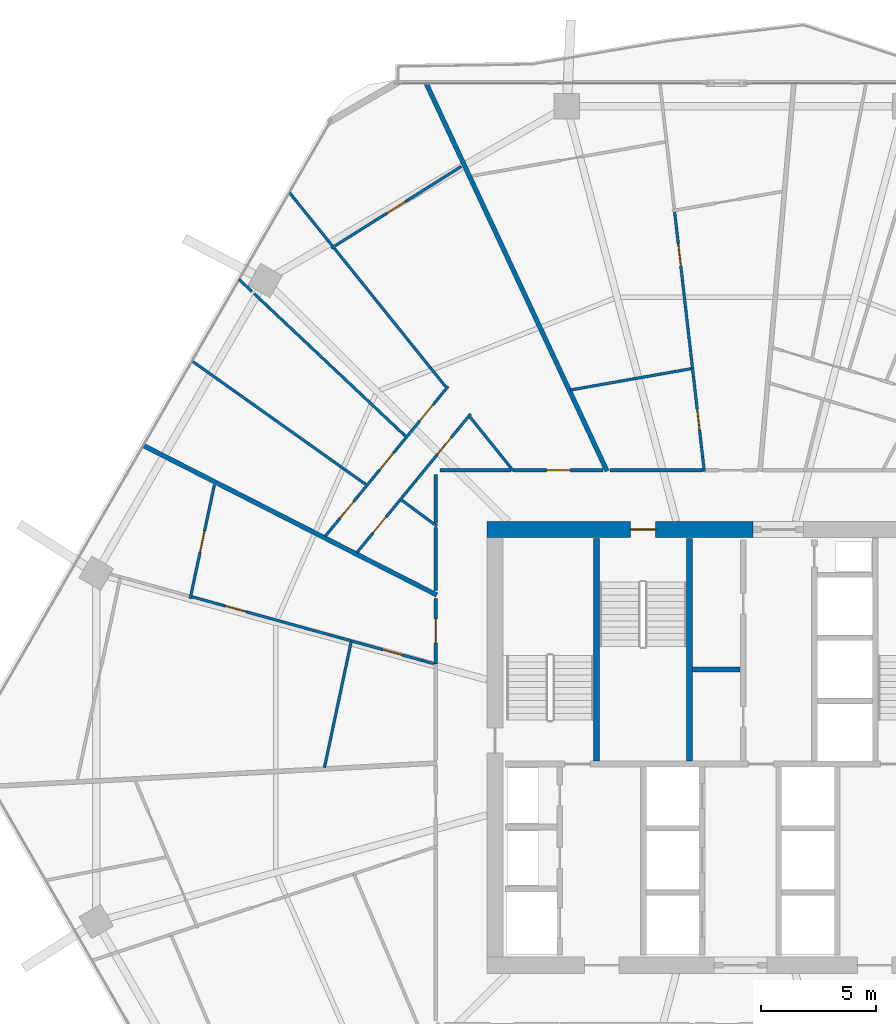
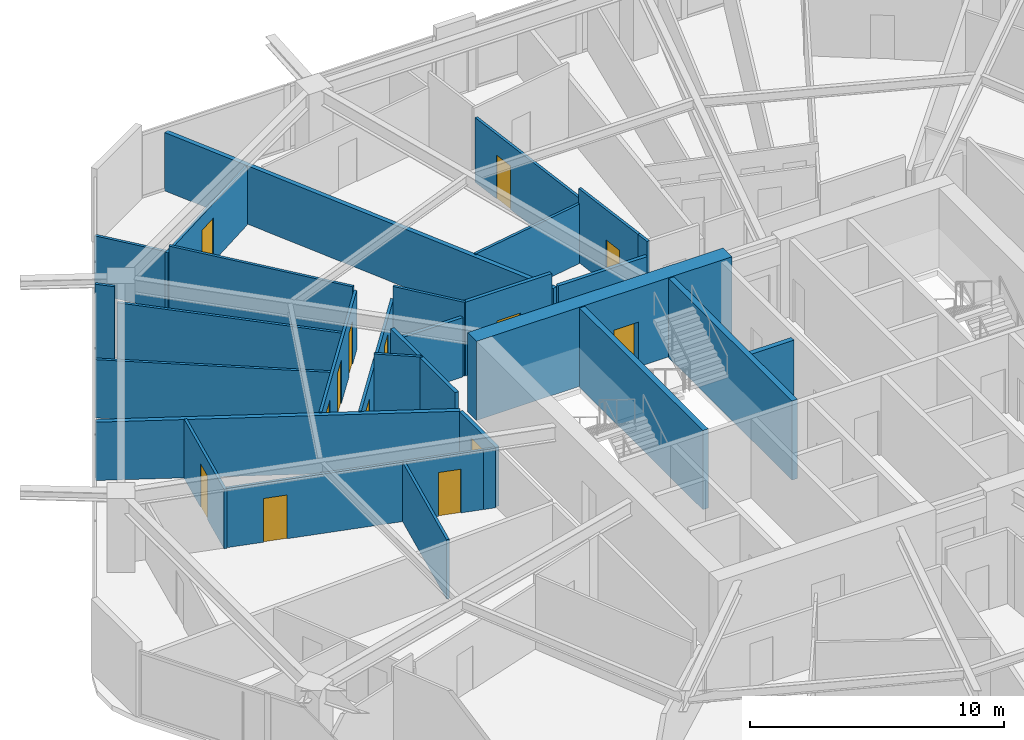
# One storey, part 27 of 33: 31 walls, 14 doors, 14 openings.
"""IFC4 building model written with IfcOpenShell, lengths in metres."""

import ifcopenshell
import ifcopenshell.guid

model = None  # the IFC model being written
_history = None  # IfcOwnerHistory: only IFC2X3 demands one
_inside = {}  # id of a spatial element -> (the spatial element, [elements in it])
_under = {}  # id of a project, library or spatial element -> (it, [spatial elements below it])
_declared = {}  # id of a project -> (the project, [libraries it declares])
_typed = {}  # id of a type object -> (the type object, [elements of that type])
_made_of = {}  # id of a material, layer set ... -> (it, [elements and type objects made of it])


def new_model(schema):
    """Start an empty IFC model of exactly this schema.

    Asked for "IFC4X3", IfcOpenShell would pick the latest addendum, in which some entities
    have other attributes; the version numbers below select the first issue.
    IFC2X3 requires an IfcOwnerHistory on every rooted entity: one is made here for all.
    """
    global model, _history
    if schema == "IFC4X3":
        model = ifcopenshell.file(schema_version=(4, 3, 0, 0))
    else:
        model = ifcopenshell.file(schema=schema)
    _inside.clear()
    _under.clear()
    _declared.clear()
    _typed.clear()
    _made_of.clear()
    _history = None
    if model.schema == "IFC2X3":
        org = make("IfcOrganization", Name="unknown")
        user = make(
            "IfcPersonAndOrganization",
            ThePerson=make("IfcPerson", FamilyName="unknown"),
            TheOrganization=org,
        )
        app = make(
            "IfcApplication",
            ApplicationDeveloper=org,
            Version="unknown",
            ApplicationFullName="unknown",
            ApplicationIdentifier="unknown",
        )
        _history = make(
            "IfcOwnerHistory",
            OwningUser=user,
            OwningApplication=app,
            ChangeAction="ADDED",
            CreationDate=0,
        )
    return model


def make(cls, **values):
    """One entity of the class cls with the attributes given. An attribute that is None is left unset."""
    return model.create_entity(
        cls, **{name: value for name, value in values.items() if value is not None}
    )


def rooted(cls, **values):
    """An entity with a GlobalId (a new one), such as an element, a storey or a relation."""
    return make(cls, GlobalId=ifcopenshell.guid.new(), OwnerHistory=_history, **values)


def si_unit(unit_type, name, prefix=None):
    """IfcSIUnit, for example si_unit("LENGTHUNIT", "METRE", prefix="MILLI")."""
    return make("IfcSIUnit", UnitType=unit_type, Prefix=prefix, Name=name)


def assignment(units):
    """IfcUnitAssignment: the units of a project."""
    return None if units is None else make("IfcUnitAssignment", Units=units)


def point(xyz):
    """IfcCartesianPoint."""
    return None if xyz is None else make("IfcCartesianPoint", Coordinates=xyz)


def direction(xyz):
    """IfcDirection."""
    return None if xyz is None else make("IfcDirection", DirectionRatios=xyz)


def frame(location, z_axis=None, x_axis=None):
    """IfcAxis2Placement3D, a coordinate frame: its origin and axes. An axis left out is left unset."""
    return make(
        "IfcAxis2Placement3D",
        Location=point(location),
        Axis=direction(z_axis),
        RefDirection=direction(x_axis),
    )


def frame_2d(location, x_axis=None):
    """IfcAxis2Placement2D, a coordinate frame in the plane: its origin and x axis."""
    return make(
        "IfcAxis2Placement2D", Location=point(location), RefDirection=direction(x_axis)
    )


def origin():
    """The frame at (0, 0, 0) with its axes left unset."""
    return frame((0.0, 0.0, 0.0))


def place(relative_to, where):
    """IfcLocalPlacement: puts the frame where relative to a parent placement (None: the world)."""
    return make(
        "IfcLocalPlacement", PlacementRelTo=relative_to, RelativePlacement=where
    )


def context(
    kind, dimensions, precision=None, world=None, true_north=None, identifier=None
):
    """IfcGeometricRepresentationContext, for example the 3D "Model" context."""
    return make(
        "IfcGeometricRepresentationContext",
        ContextIdentifier=identifier,
        ContextType=kind,
        CoordinateSpaceDimension=dimensions,
        Precision=precision,
        WorldCoordinateSystem=world,
        TrueNorth=true_north,
    )


def subcontext(parent, identifier, kind, view, scale=None):
    """IfcGeometricRepresentationSubContext, for example "Body" below "Model"."""
    return make(
        "IfcGeometricRepresentationSubContext",
        ContextIdentifier=identifier,
        ContextType=kind,
        ParentContext=parent,
        TargetScale=scale,
        TargetView=view,
    )


def project(units=None, contexts=None):
    """IfcProject with its units and contexts."""
    return rooted(
        "IfcProject",
        Name="project",
        RepresentationContexts=contexts,
        UnitsInContext=assignment(units),
    )


def spatial(cls, under=None, at=None, **own):
    """A site, building, storey or space (cls), placed at a placement, below another one or the project."""
    s = rooted(cls, ObjectPlacement=at, **own)
    if under is not None:
        _under.setdefault(under.id(), (under, []))[1].append(s)
    return s


def profile(cls, at=None, kind="AREA", **sizes):
    """A parametric profile (cls). Its sizes go by their IFC names, for example OverallWidth=200.0."""
    return make(cls, ProfileType=kind, Position=at, **sizes)


def rectangle(**sizes):
    """IfcRectangleProfileDef."""
    return profile("IfcRectangleProfileDef", **sizes)


def extrude(swept, where, along, depth):
    """IfcExtrudedAreaSolid: the profile swept, set in the frame where, extruded along a direction by depth."""
    return make(
        "IfcExtrudedAreaSolid",
        SweptArea=swept,
        Position=where,
        ExtrudedDirection=direction(along),
        Depth=depth,
    )


def shape(context_of_items, identifier, shape_type, items):
    """IfcShapeRepresentation: the items that make up one representation, for example the "Body"."""
    return make(
        "IfcShapeRepresentation",
        ContextOfItems=context_of_items,
        RepresentationIdentifier=identifier,
        RepresentationType=shape_type,
        Items=items,
    )


def material(Name=None, Category=None):
    """IfcMaterial."""
    return make("IfcMaterial", Name=Name, Category=Category)


def layer(
    of_material, thickness, ventilated=None, Name=None, Category=None, Priority=None
):
    """IfcMaterialLayer: one layer of a wall or slab, of a material (None: an air gap)."""
    return make(
        "IfcMaterialLayer",
        Material=of_material,
        LayerThickness=thickness,
        IsVentilated=ventilated,
        Name=Name,
        Category=Category,
        Priority=Priority,
    )


def layer_set(layers, Name=None):
    """IfcMaterialLayerSet."""
    return make("IfcMaterialLayerSet", MaterialLayers=layers, LayerSetName=Name)


def made_of(thing, what):
    """Note that an element or type object is made of a material, layer set ...; save() writes the relation."""
    if what is not None:
        _made_of.setdefault(what.id(), (what, []))[1].append(thing)
    return thing


def type_object(cls, material=None, **own):
    """A type object (cls), such as IfcWallType, which elements share."""
    return made_of(rooted(cls, **own), material)


def element(
    cls,
    number,
    at=None,
    inside=None,
    cuts=None,
    type_object=None,
    material=None,
    context=None,
    identifier="Body",
    shape_type=None,
    held_by="IfcProductDefinitionShape",
    body=None,
    shapes=None,
    **own,
):
    """One element of the class cls, such as IfcWall. Its Tag is "e" and its number.

    at: its placement. inside: the storey or other place that contains it. cuts: it is an
    opening in that element (IfcRelVoidsElement). A single representation is given by context,
    identifier, shape_type and body (its items); several are given by shapes. held_by: the class
    of the entity that holds the representations. save() writes the other relations.
    """
    e = rooted(cls, Tag="e%d" % number, ObjectPlacement=at, **own)
    if body is not None:
        shapes = [shape(context, identifier, shape_type, body)]
    if shapes is not None:
        e.Representation = make(held_by, Representations=shapes)
    if inside is not None:
        _inside.setdefault(inside.id(), (inside, []))[1].append(e)
    if cuts is not None:
        rooted(
            "IfcRelVoidsElement", RelatingBuildingElement=cuts, RelatedOpeningElement=e
        )
    if type_object is not None:
        _typed.setdefault(type_object.id(), (type_object, []))[1].append(e)
    return made_of(e, material)


def fill(opening, filler):
    """IfcRelFillsElement: the door or window that sits in an opening."""
    return rooted(
        "IfcRelFillsElement",
        RelatingOpeningElement=opening,
        RelatedBuildingElement=filler,
    )


def aggregate(whole, parts):
    """IfcRelAggregates: a whole, such as a stair, and the parts it consists of."""
    return rooted("IfcRelAggregates", RelatingObject=whole, RelatedObjects=parts)


def save(model, path):
    """Write the relations noted so far, then the file.

    IfcRelAggregates (storeys below a building ...), IfcRelContainedInSpatialStructure (elements
    in a storey), IfcRelDefinesByType, IfcRelAssociatesMaterial and IfcRelDeclares: one each for
    every whole, place, type object, material and project.
    """
    for whole, parts in _under.values():
        aggregate(whole, parts)
    for where, things in _inside.values():
        rooted(
            "IfcRelContainedInSpatialStructure",
            RelatedElements=things,
            RelatingStructure=where,
        )
    for kind, things in _typed.values():
        rooted("IfcRelDefinesByType", RelatedObjects=things, RelatingType=kind)
    for what, things in _made_of.values():
        rooted("IfcRelAssociatesMaterial", RelatedObjects=things, RelatingMaterial=what)
    for by, libraries in _declared.values():
        rooted("IfcRelDeclares", RelatingContext=by, RelatedDefinitions=libraries)
    model.write(path)


model = new_model("IFC4")

# Units and contexts
model_context = context("Model", 3, precision=1e-05, world=origin(), true_north=direction((0.0, 1.0)))
body_context = subcontext(model_context, "Body", "Model", "MODEL_VIEW")
ifc_project = project(units=[si_unit("LENGTHUNIT", "METRE"), si_unit("AREAUNIT", "SQUARE_METRE"), si_unit("VOLUMEUNIT", "CUBIC_METRE"), si_unit("PLANEANGLEUNIT", "RADIAN"), si_unit("MASSUNIT", "GRAM", prefix="KILO")], contexts=[model_context])

# Site, building, storey
site_placement = place(None, origin())
site = spatial("IfcSite", under=ifc_project, at=site_placement, CompositionType="ELEMENT")
building_placement = place(site_placement, origin())
building = spatial("IfcBuilding", under=site, at=building_placement, Name="Zuhravey Tower", CompositionType="ELEMENT")
storey_placement = place(building_placement, frame((0.0, 0.0, 126.60009765625)))
storey = spatial("IfcBuildingStorey", under=building, at=storey_placement, Name="L31", CompositionType="ELEMENT", Elevation=126.60009765625)

# Wall, opening, door
ifc_material_1 = material(Name="Concrete C60/75", Category="concrete")
ifc_layer_1 = layer(ifc_material_1, 0.699951171875)
ifc_layer_set_1 = layer_set([ifc_layer_1], Name="Concrete C60/75")
wall_type_1 = type_object("IfcWallType", Name="Core Shear Wall 700", PredefinedType="SHEAR", material=ifc_layer_set_1)
wall_1_placement = place(storey_placement, frame((36.75, 41.5, 0.0), z_axis=(0.0, 0.0, 1.0), x_axis=(-1.0, 0.0, 0.0)))
wall_1 = element("IfcWall", 1, at=wall_1_placement, inside=storey, type_object=wall_type_1, Name="L31 North-West Core Shear Wall CW70", PredefinedType="SHEAR", context=body_context, shape_type="SweptSolid", body=[
    extrude(rectangle(XDim=11.60009765625, YDim=0.699951171875, at=frame_2d((5.800048828125, 0.0))), origin(), (0.0, 0.0, 1.0), 3.7998046875),
])
opening_1_placement = place(wall_1_placement, frame((4.25, 0.0, 0.0)))
opening_1 = element("IfcOpeningElement", 2, at=opening_1_placement, cuts=wall_1, Name="Opening STD1", PredefinedType="OPENING", context=body_context, shape_type="SweptSolid", body=[
    extrude(rectangle(XDim=1.10009765625, YDim=2.14990234375, at=frame_2d((0.550048828125, 1.074951171875))), frame((0.0, 0.362060546875, 0.0), z_axis=(0.0, -1.0, 0.0), x_axis=(1.0, 0.0, 0.0)), (0.0, 0.0, 1.0), 0.723876953125),
])
ifc_material_2 = material(Name="Galvanised fire-rated steel leaf", Category="steel")
door_type_1 = type_object("IfcDoorType", Name="Protected Stair Fire Door 1100x2150", OperationType="NOTDEFINED", PredefinedType="USERDEFINED", material=ifc_material_2)
door_1_placement = place(opening_1_placement, origin())
door_1 = element("IfcDoor", 3, at=door_1_placement, inside=storey, type_object=door_type_1, Name="L31 Stair ST3 Door", ObjectType="EXITDOOR", OperationType="SINGLE_SWING_LEFT", OverallHeight=2.14990234375, OverallWidth=1.10009765625, PredefinedType="USERDEFINED", context=body_context, shape_type="SweptSolid", body=[
    extrude(rectangle(XDim=1.10009765625, YDim=2.14990234375, at=frame_2d((0.550048828125, 1.074951171875))), frame((0.0, 0.02490234375, 0.0), z_axis=(0.0, -1.0, 0.0), x_axis=(1.0, 0.0, 0.0)), (0.0, 0.0, 1.0), 0.050048828125),
])
fill(opening_1, door_1)

ifc_material_3 = material(Name="Gypsum fire-rated stud partition")
ifc_layer_2 = layer(ifc_material_3, 0.159912109375)
ifc_layer_set_2 = layer_set([ifc_layer_2], Name="Gypsum fire-rated stud partition")
wall_type_2 = type_object("IfcWallType", Name="Corridor Fire Partition 160", PredefinedType="PARTITIONING", material=ifc_layer_set_2)
wall_2_placement = place(storey_placement, frame((30.216064453125, 44.080078125, 0.0), z_axis=(0.0, 0.0, 1.0), x_axis=(-1.0, 0.0, 0.0)))
wall_2 = element("IfcWall", 4, at=wall_2_placement, inside=storey, type_object=wall_type_2, Name="L31 IW16 Partition 036", PredefinedType="PARTITIONING", context=body_context, shape_type="SweptSolid", body=[
    extrude(rectangle(XDim=3.909912109375, YDim=0.159912109375, at=frame_2d((1.955078125, 0.0))), origin(), (0.0, 0.0, 1.0), 3.5498046875),
])
opening_2_placement = place(wall_2_placement, frame((1.429931640625, 0.0, 0.0)))
opening_2 = element("IfcOpeningElement", 5, at=opening_2_placement, cuts=wall_2, Name="Opening APD1", PredefinedType="OPENING", context=body_context, shape_type="SweptSolid", body=[
    extrude(rectangle(XDim=1.050048828125, YDim=2.14990234375, at=frame_2d((0.52490234375, 1.074951171875))), frame((0.0, 0.092041015625, 0.0), z_axis=(0.0, -1.0, 0.0), x_axis=(1.0, 0.0, 0.0)), (0.0, 0.0, 1.0), 0.183837890625),
])
ifc_material_4 = material(Name="Solid-core oak fire-rated leaf")
door_type_2 = type_object("IfcDoorType", Name="Apartment Entrance Fire Door 1050x2150", OperationType="NOTDEFINED", PredefinedType="DOOR", material=ifc_material_4)
door_2_placement = place(opening_2_placement, frame((1.050048828125, 0.0, 0.0), z_axis=(0.0, 0.0, 1.0), x_axis=(-1.0, 0.0, 0.0)))
door_2 = element("IfcDoor", 6, at=door_2_placement, inside=storey, type_object=door_type_2, Name="L31 Door 036.1", OperationType="SINGLE_SWING_RIGHT", OverallHeight=2.14990234375, OverallWidth=1.050048828125, PredefinedType="DOOR", context=body_context, shape_type="SweptSolid", body=[
    extrude(rectangle(XDim=1.050048828125, YDim=2.14990234375, at=frame_2d((0.52490234375, 1.074951171875))), frame((0.0, 0.02490234375, 0.0), z_axis=(0.0, -1.0, 0.0), x_axis=(1.0, 0.0, 0.0)), (0.0, 0.0, 1.0), 0.050048828125),
])
fill(opening_2, door_2)

wall_3_placement = place(storey_placement, frame((22.919921875, 38.4990234375, 0.0), z_axis=(0.0, 0.0, 1.0), x_axis=(0.0, -1.0, 0.0)))
wall_3 = element("IfcWall", 7, at=wall_3_placement, inside=storey, type_object=wall_type_2, Name="L31 IW16 Partition 042", PredefinedType="PARTITIONING", context=body_context, shape_type="SweptSolid", body=[
    extrude(rectangle(XDim=2.855712890625, YDim=0.159912109375, at=frame_2d((1.427734375, 0.0))), origin(), (0.0, 0.0, 1.0), 2.849853515625),
])
opening_3_placement = place(wall_3_placement, frame((0.90283203125, 0.0, 0.0)))
opening_3 = element("IfcOpeningElement", 8, at=opening_3_placement, cuts=wall_3, Name="Opening APD1", PredefinedType="OPENING", context=body_context, shape_type="SweptSolid", body=[
    extrude(rectangle(XDim=1.050048828125, YDim=2.14990234375, at=frame_2d((0.52490234375, 1.074951171875))), frame((0.0, 0.092041015625, 0.0), z_axis=(0.0, -1.0, 0.0), x_axis=(1.0, 0.0, 0.0)), (0.0, 0.0, 1.0), 0.183837890625),
])
door_3_placement = place(opening_3_placement, frame((1.050048828125, 0.0, 0.0), z_axis=(0.0, 0.0, 1.0), x_axis=(-1.0, 0.0, 0.0)))
door_3 = element("IfcDoor", 9, at=door_3_placement, inside=storey, type_object=door_type_2, Name="L31 Door 042.1", OperationType="SINGLE_SWING_LEFT", OverallHeight=2.14990234375, OverallWidth=1.050048828125, PredefinedType="DOOR", context=body_context, shape_type="SweptSolid", body=[
    extrude(rectangle(XDim=1.050048828125, YDim=2.14990234375, at=frame_2d((0.52490234375, 1.074951171875))), frame((0.0, 0.02490234375, 0.0), z_axis=(0.0, -1.0, 0.0), x_axis=(1.0, 0.0, 0.0)), (0.0, 0.0, 1.0), 0.050048828125),
])
fill(opening_3, door_3)

# Walls
wall_4_placement = place(storey_placement, frame((34.55078125, 44.080078125, 0.0), z_axis=(0.0, 0.0, 1.0), x_axis=(-1.0, 0.0, 0.0)))
element("IfcWall", 10, at=wall_4_placement, inside=storey, type_object=wall_type_2, Name="L31 IW16 Partition 132", PredefinedType="PARTITIONING", context=body_context, shape_type="SweptSolid", body=[
    extrude(rectangle(XDim=4.033935546875, YDim=0.159912109375, at=frame_2d((2.01708984375, 0.0))), origin(), (0.0, 0.0, 1.0), 2.849853515625),
])
wall_5_placement = place(storey_placement, frame((26.193115234375, 44.080078125, 0.0), z_axis=(0.0, 0.0, 1.0), x_axis=(-1.0, 0.0, 0.0)))
element("IfcWall", 11, at=wall_5_placement, inside=storey, type_object=wall_type_2, Name="L31 IW16 Partition 133", PredefinedType="PARTITIONING", context=body_context, shape_type="SweptSolid", body=[
    extrude(rectangle(XDim=3.093017578125, YDim=0.159912109375, at=frame_2d((1.54638671875, 0.0))), origin(), (0.0, 0.0, 1.0), 2.849853515625),
])
wall_6_placement = place(storey_placement, frame((22.919921875, 43.89990234375, 0.0), z_axis=(0.0, 0.0, 1.0), x_axis=(0.0, -1.0, 0.0)))
element("IfcWall", 12, at=wall_6_placement, inside=storey, type_object=wall_type_2, Name="L31 IW16 Partition 134", PredefinedType="PARTITIONING", context=body_context, shape_type="SweptSolid", body=[
    extrude(rectangle(XDim=2.13720703125, YDim=0.159912109375, at=frame_2d((1.068603515625, 0.0))), origin(), (0.0, 0.0, 1.0), 3.5498046875),
])
wall_7_placement = place(storey_placement, frame((22.919921875, 41.593505859375, 0.0), z_axis=(0.0, 0.0, 1.0), x_axis=(0.0, -1.0, 0.0)))
element("IfcWall", 13, at=wall_7_placement, inside=storey, type_object=wall_type_2, Name="L31 IW16 Partition 135", PredefinedType="PARTITIONING", context=body_context, shape_type="SweptSolid", body=[
    extrude(rectangle(XDim=2.761962890625, YDim=0.159912109375, at=frame_2d((1.380859375, 0.0))), origin(), (0.0, 0.0, 1.0), 3.5498046875),
])
ifc_material_5 = material(Name="Concrete C50/60", Category="concrete")
ifc_layer_3 = layer(ifc_material_5, 0.25)
ifc_layer_set_3 = layer_set([ifc_layer_3], Name="Concrete C50/60")
wall_type_3 = type_object("IfcWallType", Name="Firefighting Shaft & Stair Wall 250", PredefinedType="SOLIDWALL", material=ifc_layer_set_3)
for number, where, z_axis, x_axis, name in (
    (14, (29.925048828125, 31.39990234375, 0.0), (0.0, 0.0, 1.0), (0.0, 1.0, 0.0), "L31 FW25 Shaft Wall 004"),
    (15, (33.97509765625, 31.39990234375, 0.0), (0.0, 0.0, 1.0), (0.0, 1.0, 0.0), "L31 FW25 Shaft Wall 005"),
):
    element("IfcWall", number, at=place(storey_placement, frame(where, z_axis=z_axis, x_axis=x_axis)), inside=storey, type_object=wall_type_3, Name=name, PredefinedType="SOLIDWALL", context=body_context, shape_type="SweptSolid", body=[
        extrude(rectangle(XDim=9.7001953125, YDim=0.25, at=frame_2d((4.85009765625, 0.0))), origin(), (0.0, 0.0, 1.0), 3.7998046875),
    ])
ifc_material_6 = material(Name="Gypsum double-stud party assembly")
ifc_layer_4 = layer(ifc_material_6, 0.199951171875)
ifc_layer_set_4 = layer_set([ifc_layer_4], Name="Gypsum double-stud party assembly")
wall_type_4 = type_object("IfcWallType", Name="Inter-Tenancy Party Wall 200", PredefinedType="PARTITIONING", material=ifc_layer_set_4)
wall_8_placement = place(storey_placement, frame((30.3857421875, 44.0400390625, 0.0), z_axis=(0.0, 0.0, 1.0), x_axis=(-0.422626983595, 0.906303719918, 0.0)))
element("IfcWall", 16, at=wall_8_placement, inside=storey, type_object=wall_type_4, Name="L31 IW20 Partition 091", PredefinedType="PARTITIONING", context=body_context, shape_type="SweptSolid", body=[
    extrude(rectangle(XDim=18.66748046875, YDim=0.199951171875, at=frame_2d((9.333740234375, 0.0))), origin(), (0.0, 0.0, 1.0), 2.7998046875),
])
wall_9_placement = place(storey_placement, frame((22.9599609375, 38.644287109375, 0.0), z_axis=(0.0, 0.0, 1.0), x_axis=(-0.891012124705, 0.453979507939, 0.0)))
element("IfcWall", 17, at=wall_9_placement, inside=storey, type_object=wall_type_4, Name="L31 IW20 Partition 099", PredefinedType="PARTITIONING", context=body_context, shape_type="SweptSolid", body=[
    extrude(rectangle(XDim=14.363037109375, YDim=0.199951171875, at=frame_2d((7.181640625, 0.0))), origin(), (0.0, 0.0, 1.0), 2.7998046875),
])
ifc_material_7 = material(Name="Gypsum acoustic stud assembly")
ifc_layer_5 = layer(ifc_material_7, 0.219970703125)
ifc_layer_set_5 = layer_set([ifc_layer_5], Name="Gypsum acoustic stud assembly")
wall_type_5 = type_object("IfcWallType", Name="School Acoustic Compartment Wall 220", PredefinedType="PARTITIONING", material=ifc_layer_set_5)
wall_10_placement = place(storey_placement, frame((34.10791015625, 35.39990234375, 0.0), z_axis=(0.0, 0.0, 1.0), x_axis=(1.0, 0.0, 0.0)))
element("IfcWall", 18, at=wall_10_placement, inside=storey, type_object=wall_type_5, Name="L31 IW22 Partition 067", PredefinedType="PARTITIONING", context=body_context, shape_type="SweptSolid", body=[
    extrude(rectangle(XDim=2.083984375, YDim=0.219970703125, at=frame_2d((1.0419921875, 0.0))), origin(), (0.0, 0.0, 1.0), 3.5498046875),
])

# Wall, opening, door
ifc_material_8 = material(Name="Gypsum metal-stud partition")
ifc_layer_6 = layer(ifc_material_8, 0.1201171875)
ifc_layer_set_6 = layer_set([ifc_layer_6], Name="Gypsum metal-stud partition")
wall_type_6 = type_object("IfcWallType", Name="Unit Internal Partition 120", PredefinedType="PARTITIONING", material=ifc_layer_set_6)
wall_11_placement = place(storey_placement, frame((34.55419921875, 44.64990234375, 0.0), z_axis=(0.0, 0.0, 1.0), x_axis=(-0.113574688957, 0.993529461077, 0.0)))
wall_11 = element("IfcWall", 19, at=wall_11_placement, inside=storey, type_object=wall_type_6, Name="L31 IW12 Partition 028", PredefinedType="PARTITIONING", context=body_context, shape_type="SweptSolid", body=[
    extrude(rectangle(XDim=3.9208984375, YDim=0.1201171875, at=frame_2d((1.96044921875, 0.0))), origin(), (0.0, 0.0, 1.0), 3.5498046875),
])
opening_4_placement = place(wall_11_placement, frame((1.19677734375, 0.0, 0.0)))
opening_4 = element("IfcOpeningElement", 20, at=opening_4_placement, cuts=wall_11, Name="Opening WCD1", PredefinedType="OPENING", context=body_context, shape_type="SweptSolid", body=[
    extrude(rectangle(XDim=0.89990234375, YDim=2.10009765625, at=frame_2d((0.449951171875, 1.050048828125))), frame((0.0, 0.072021484375, 0.0), z_axis=(0.0, -1.0, 0.0), x_axis=(1.0, 0.0, 0.0)), (0.0, 0.0, 1.0), 0.14404296875),
])
ifc_material_9 = material(Name="Moisture-resistant timber leaf", Category="wood")
door_type_3 = type_object("IfcDoorType", Name="Bathroom & WC Internal Door 900x2100", OperationType="NOTDEFINED", PredefinedType="DOOR", material=ifc_material_9)
door_4_placement = place(opening_4_placement, origin())
door_4 = element("IfcDoor", 21, at=door_4_placement, inside=storey, type_object=door_type_3, Name="Apartment L31-03 Bathroom Door", OperationType="SINGLE_SWING_RIGHT", OverallHeight=2.10009765625, OverallWidth=0.89990234375, PredefinedType="DOOR", context=body_context, shape_type="SweptSolid", body=[
    extrude(rectangle(XDim=0.89990234375, YDim=2.10009765625, at=frame_2d((0.449951171875, 1.050048828125))), frame((0.0, 0.02490234375, 0.0), z_axis=(0.0, -1.0, 0.0), x_axis=(1.0, 0.0, 0.0)), (0.0, 0.0, 1.0), 0.050048828125),
])
fill(opening_4, door_4)

wall_12_placement = place(storey_placement, frame((34.10888671875, 48.54541015625, 0.0), z_axis=(0.0, 0.0, 1.0), x_axis=(-0.113541557806, 0.993533247884, 0.0)))
wall_12 = element("IfcWall", 22, at=wall_12_placement, inside=storey, type_object=wall_type_6, Name="L31 IW12 Partition 029", PredefinedType="PARTITIONING", context=body_context, shape_type="SweptSolid", body=[
    extrude(rectangle(XDim=6.83984375, YDim=0.1201171875, at=frame_2d((3.419921875, 0.0))), origin(), (0.0, 0.0, 1.0), 3.099853515625),
])
opening_5_placement = place(wall_12_placement, frame((4.476318359375, 0.0, 0.0)))
opening_5 = element("IfcOpeningElement", 23, at=opening_5_placement, cuts=wall_12, Name="Opening IND1", PredefinedType="OPENING", context=body_context, shape_type="SweptSolid", body=[
    extrude(rectangle(XDim=0.949951171875, YDim=2.10009765625, at=frame_2d((0.47509765625, 1.050048828125))), frame((0.0, 0.072021484375, 0.0), z_axis=(0.0, -1.0, 0.0), x_axis=(1.0, 0.0, 0.0)), (0.0, 0.0, 1.0), 0.14404296875),
])
ifc_material_10 = material(Name="Painted engineered timber leaf", Category="wood")
door_type_4 = type_object("IfcDoorType", Name="Internal Room & Bedroom Door 950x2100", OperationType="NOTDEFINED", PredefinedType="DOOR", material=ifc_material_10)
door_5_placement = place(opening_5_placement, origin())
door_5 = element("IfcDoor", 24, at=door_5_placement, inside=storey, type_object=door_type_4, Name="Apartment L31-03 Home Office Door", OperationType="SINGLE_SWING_LEFT", OverallHeight=2.10009765625, OverallWidth=0.949951171875, PredefinedType="DOOR", context=body_context, shape_type="SweptSolid", body=[
    extrude(rectangle(XDim=0.949951171875, YDim=2.10009765625, at=frame_2d((0.47509765625, 1.050048828125))), frame((0.0, 0.02490234375, 0.0), z_axis=(0.0, -1.0, 0.0), x_axis=(1.0, 0.0, 0.0)), (0.0, 0.0, 1.0), 0.050048828125),
])
fill(opening_5, door_5)

wall_13_placement = place(storey_placement, frame((24.030029296875, 57.32763671875, 0.0), z_axis=(0.0, 0.0, 1.0), x_axis=(-0.846561448229, -0.532291005346, 0.0)))
wall_13 = element("IfcWall", 25, at=wall_13_placement, inside=storey, type_object=wall_type_6, Name="L31 IW12 Partition 033", PredefinedType="PARTITIONING", context=body_context, shape_type="SweptSolid", body=[
    extrude(rectangle(XDim=6.696533203125, YDim=0.1201171875, at=frame_2d((3.34814453125, 0.0))), origin(), (0.0, 0.0, 1.0), 2.7998046875),
])
opening_6_placement = place(wall_13_placement, frame((2.873291015625, 0.0, 0.0)))
opening_6 = element("IfcOpeningElement", 26, at=opening_6_placement, cuts=wall_13, Name="Opening IND1", PredefinedType="OPENING", context=body_context, shape_type="SweptSolid", body=[
    extrude(rectangle(XDim=0.949951171875, YDim=2.10009765625, at=frame_2d((0.47509765625, 1.050048828125))), frame((0.0, 0.072021484375, 0.0), z_axis=(0.0, -1.0, 0.0), x_axis=(1.0, 0.0, 0.0)), (0.0, 0.0, 1.0), 0.14404296875),
])
door_6_placement = place(opening_6_placement, frame((0.949951171875, 0.0, 0.0), z_axis=(0.0, 0.0, 1.0), x_axis=(-1.0, 0.0, 0.0)))
door_6 = element("IfcDoor", 27, at=door_6_placement, inside=storey, type_object=door_type_4, Name="Apartment L31-04 Family Study Door", OperationType="SINGLE_SWING_RIGHT", OverallHeight=2.10009765625, OverallWidth=0.949951171875, PredefinedType="DOOR", context=body_context, shape_type="SweptSolid", body=[
    extrude(rectangle(XDim=0.949951171875, YDim=2.10009765625, at=frame_2d((0.47509765625, 1.050048828125))), frame((0.0, 0.02490234375, 0.0), z_axis=(0.0, -1.0, 0.0), x_axis=(1.0, 0.0, 0.0)), (0.0, 0.0, 1.0), 0.050048828125),
])
fill(opening_6, door_6)

# Wall, openings, doors
wall_14_placement = place(storey_placement, frame((24.43310546875, 46.53564453125, 0.0), z_axis=(0.0, 0.0, 1.0), x_axis=(-0.633934690798, -0.773386583671, 0.0)))
wall_14 = element("IfcWall", 28, at=wall_14_placement, inside=storey, type_object=wall_type_6, Name="L31 IW12 Partition 034", PredefinedType="PARTITIONING", context=body_context, shape_type="SweptSolid", body=[
    extrude(rectangle(XDim=7.818603515625, YDim=0.1201171875, at=frame_2d((3.9091796875, 0.0))), origin(), (0.0, 0.0, 1.0), 2.849853515625),
])
opening_7_placement = place(wall_14_placement, frame((1.3212890625, 0.0, 0.0)))
opening_7 = element("IfcOpeningElement", 29, at=opening_7_placement, cuts=wall_14, Name="Opening IND1", PredefinedType="OPENING", context=body_context, shape_type="SweptSolid", body=[
    extrude(rectangle(XDim=0.949951171875, YDim=2.10009765625, at=frame_2d((0.47509765625, 1.050048828125))), frame((0.0, 0.072021484375, 0.0), z_axis=(0.0, -1.0, 0.0), x_axis=(1.0, 0.0, 0.0)), (0.0, 0.0, 1.0), 0.14404296875),
])
opening_8_placement = place(wall_14_placement, frame((5.8134765625, 0.0, 0.0)))
opening_8 = element("IfcOpeningElement", 30, at=opening_8_placement, cuts=wall_14, Name="Opening WCD1", PredefinedType="OPENING", context=body_context, shape_type="SweptSolid", body=[
    extrude(rectangle(XDim=0.89990234375, YDim=2.10009765625, at=frame_2d((0.449951171875, 1.050048828125))), frame((0.0, 0.072021484375, 0.0), z_axis=(0.0, -1.0, 0.0), x_axis=(1.0, 0.0, 0.0)), (0.0, 0.0, 1.0), 0.14404296875),
])
door_7_placement = place(opening_8_placement, origin())
door_7 = element("IfcDoor", 31, at=door_7_placement, inside=storey, type_object=door_type_3, Name="Apartment L31-04 Bathroom Door", OperationType="SINGLE_SWING_RIGHT", OverallHeight=2.10009765625, OverallWidth=0.89990234375, PredefinedType="DOOR", context=body_context, shape_type="SweptSolid", body=[
    extrude(rectangle(XDim=0.89990234375, YDim=2.10009765625, at=frame_2d((0.449951171875, 1.050048828125))), frame((0.0, 0.02490234375, 0.0), z_axis=(0.0, -1.0, 0.0), x_axis=(1.0, 0.0, 0.0)), (0.0, 0.0, 1.0), 0.050048828125),
])
fill(opening_8, door_7)
door_8_placement = place(opening_7_placement, origin())
door_8 = element("IfcDoor", 32, at=door_8_placement, inside=storey, type_object=door_type_4, Name="Apartment L31-04 Kitchen Door", OperationType="SINGLE_SWING_LEFT", OverallHeight=2.10009765625, OverallWidth=0.949951171875, PredefinedType="DOOR", context=body_context, shape_type="SweptSolid", body=[
    extrude(rectangle(XDim=0.949951171875, YDim=2.10009765625, at=frame_2d((0.47509765625, 1.050048828125))), frame((0.0, 0.02490234375, 0.0), z_axis=(0.0, -1.0, 0.0), x_axis=(1.0, 0.0, 0.0)), (0.0, 0.0, 1.0), 0.050048828125),
])
fill(opening_7, door_8)

wall_15_placement = place(storey_placement, frame((23.45947265625, 47.74560546875, 0.0), z_axis=(0.0, 0.0, 1.0), x_axis=(-0.633918329218, -0.773399994751, 0.0)))
wall_15 = element("IfcWall", 33, at=wall_15_placement, inside=storey, type_object=wall_type_6, Name="L31 IW12 Partition 035", PredefinedType="PARTITIONING", context=body_context, shape_type="SweptSolid", body=[
    extrude(rectangle(XDim=8.455810546875, YDim=0.1201171875, at=frame_2d((4.22802734375, 0.0))), origin(), (0.0, 0.0, 1.0), 2.849853515625),
])
opening_9_placement = place(wall_15_placement, frame((1.010009765625, 0.0, 0.0)))
opening_9 = element("IfcOpeningElement", 34, at=opening_9_placement, cuts=wall_15, Name="Opening IND1", PredefinedType="OPENING", context=body_context, shape_type="SweptSolid", body=[
    extrude(rectangle(XDim=0.949951171875, YDim=2.10009765625, at=frame_2d((0.47509765625, 1.050048828125))), frame((0.0, 0.072021484375, 0.0), z_axis=(0.0, -1.0, 0.0), x_axis=(1.0, 0.0, 0.0)), (0.0, 0.0, 1.0), 0.14404296875),
])
opening_10_placement = place(wall_15_placement, frame((3.7529296875, 0.0, 0.0)))
opening_10 = element("IfcOpeningElement", 35, at=opening_10_placement, cuts=wall_15, Name="Opening IND1", PredefinedType="OPENING", context=body_context, shape_type="SweptSolid", body=[
    extrude(rectangle(XDim=0.949951171875, YDim=2.10009765625, at=frame_2d((0.47509765625, 1.050048828125))), frame((0.0, 0.072021484375, 0.0), z_axis=(0.0, -1.0, 0.0), x_axis=(1.0, 0.0, 0.0)), (0.0, 0.0, 1.0), 0.14404296875),
])
opening_11_placement = place(wall_15_placement, frame((6.495849609375, 0.0, 0.0)))
opening_11 = element("IfcOpeningElement", 36, at=opening_11_placement, cuts=wall_15, Name="Opening IND1", PredefinedType="OPENING", context=body_context, shape_type="SweptSolid", body=[
    extrude(rectangle(XDim=0.949951171875, YDim=2.10009765625, at=frame_2d((0.47509765625, 1.050048828125))), frame((0.0, 0.072021484375, 0.0), z_axis=(0.0, -1.0, 0.0), x_axis=(1.0, 0.0, 0.0)), (0.0, 0.0, 1.0), 0.14404296875),
])
door_9_placement = place(opening_9_placement, frame((0.949951171875, 0.0, 0.0), z_axis=(0.0, 0.0, 1.0), x_axis=(-1.0, 0.0, 0.0)))
door_9 = element("IfcDoor", 37, at=door_9_placement, inside=storey, type_object=door_type_4, Name="Apartment L31-04 Bedroom 1 Door", OperationType="SINGLE_SWING_LEFT", OverallHeight=2.10009765625, OverallWidth=0.949951171875, PredefinedType="DOOR", context=body_context, shape_type="SweptSolid", body=[
    extrude(rectangle(XDim=0.949951171875, YDim=2.10009765625, at=frame_2d((0.47509765625, 1.050048828125))), frame((0.0, 0.02490234375, 0.0), z_axis=(0.0, -1.0, 0.0), x_axis=(1.0, 0.0, 0.0)), (0.0, 0.0, 1.0), 0.050048828125),
])
fill(opening_9, door_9)
door_10_placement = place(opening_10_placement, frame((0.949951171875, 0.0, 0.0), z_axis=(0.0, 0.0, 1.0), x_axis=(-1.0, 0.0, 0.0)))
door_10 = element("IfcDoor", 38, at=door_10_placement, inside=storey, type_object=door_type_4, Name="Apartment L31-04 Bedroom 2 Door", OperationType="SINGLE_SWING_RIGHT", OverallHeight=2.10009765625, OverallWidth=0.949951171875, PredefinedType="DOOR", context=body_context, shape_type="SweptSolid", body=[
    extrude(rectangle(XDim=0.949951171875, YDim=2.10009765625, at=frame_2d((0.47509765625, 1.050048828125))), frame((0.0, 0.02490234375, 0.0), z_axis=(0.0, -1.0, 0.0), x_axis=(1.0, 0.0, 0.0)), (0.0, 0.0, 1.0), 0.050048828125),
])
fill(opening_10, door_10)
door_11_placement = place(opening_11_placement, frame((0.949951171875, 0.0, 0.0), z_axis=(0.0, 0.0, 1.0), x_axis=(-1.0, 0.0, 0.0)))
door_11 = element("IfcDoor", 39, at=door_11_placement, inside=storey, type_object=door_type_4, Name="Apartment L31-04 Bedroom 3 Door", OperationType="SINGLE_SWING_LEFT", OverallHeight=2.10009765625, OverallWidth=0.949951171875, PredefinedType="DOOR", context=body_context, shape_type="SweptSolid", body=[
    extrude(rectangle(XDim=0.949951171875, YDim=2.10009765625, at=frame_2d((0.47509765625, 1.050048828125))), frame((0.0, 0.02490234375, 0.0), z_axis=(0.0, -1.0, 0.0), x_axis=(1.0, 0.0, 0.0)), (0.0, 0.0, 1.0), 0.050048828125),
])
fill(opening_11, door_11)

# Wall, opening, door
wall_16_placement = place(storey_placement, frame((13.2646484375, 43.447021484375, 0.0), z_axis=(0.0, 0.0, 1.0), x_axis=(-0.207901923905, -0.978149676704, 0.0)))
wall_16 = element("IfcWall", 40, at=wall_16_placement, inside=storey, type_object=wall_type_6, Name="L31 IW12 Partition 037", PredefinedType="PARTITIONING", context=body_context, shape_type="SweptSolid", body=[
    extrude(rectangle(XDim=5.072998046875, YDim=0.1201171875, at=frame_2d((2.53662109375, 0.0))), origin(), (0.0, 0.0, 1.0), 2.849853515625),
])
opening_12_placement = place(wall_16_placement, frame((2.0615234375, 0.0, 0.0)))
opening_12 = element("IfcOpeningElement", 41, at=opening_12_placement, cuts=wall_16, Name="Opening IND1", PredefinedType="OPENING", context=body_context, shape_type="SweptSolid", body=[
    extrude(rectangle(XDim=0.949951171875, YDim=2.10009765625, at=frame_2d((0.47509765625, 1.050048828125))), frame((0.0, 0.072021484375, 0.0), z_axis=(0.0, -1.0, 0.0), x_axis=(1.0, 0.0, 0.0)), (0.0, 0.0, 1.0), 0.14404296875),
])
door_12_placement = place(opening_12_placement, frame((0.949951171875, 0.0, 0.0), z_axis=(0.0, 0.0, 1.0), x_axis=(-1.0, 0.0, 0.0)))
door_12 = element("IfcDoor", 42, at=door_12_placement, inside=storey, type_object=door_type_4, Name="Apartment L31-05 Family Study Door", OperationType="SINGLE_SWING_LEFT", OverallHeight=2.10009765625, OverallWidth=0.949951171875, PredefinedType="DOOR", context=body_context, shape_type="SweptSolid", body=[
    extrude(rectangle(XDim=0.949951171875, YDim=2.10009765625, at=frame_2d((0.47509765625, 1.050048828125))), frame((0.0, 0.02490234375, 0.0), z_axis=(0.0, -1.0, 0.0), x_axis=(1.0, 0.0, 0.0)), (0.0, 0.0, 1.0), 0.050048828125),
])
fill(opening_12, door_12)

wall_17_placement = place(storey_placement, frame((22.35009765625, 35.7802734375, 0.0), z_axis=(0.0, 0.0, 1.0), x_axis=(-0.963728241007, 0.266885513816, 0.0)))
wall_17 = element("IfcWall", 43, at=wall_17_placement, inside=storey, type_object=wall_type_6, Name="L31 IW12 Partition 038", PredefinedType="PARTITIONING", context=body_context, shape_type="SweptSolid", body=[
    extrude(rectangle(XDim=3.2548828125, YDim=0.1201171875, at=frame_2d((1.62744140625, 0.0))), origin(), (0.0, 0.0, 1.0), 2.849853515625),
])
opening_13_placement = place(wall_17_placement, frame((0.9169921875, 0.0, 0.0)))
opening_13 = element("IfcOpeningElement", 44, at=opening_13_placement, cuts=wall_17, Name="Opening WCD1", PredefinedType="OPENING", context=body_context, shape_type="SweptSolid", body=[
    extrude(rectangle(XDim=0.89990234375, YDim=2.10009765625, at=frame_2d((0.449951171875, 1.050048828125))), frame((0.0, 0.072021484375, 0.0), z_axis=(0.0, -1.0, 0.0), x_axis=(1.0, 0.0, 0.0)), (0.0, 0.0, 1.0), 0.14404296875),
])
door_13_placement = place(opening_13_placement, origin())
door_13 = element("IfcDoor", 45, at=door_13_placement, inside=storey, type_object=door_type_3, Name="Apartment L31-05 Bathroom Door", OperationType="SINGLE_SWING_RIGHT", OverallHeight=2.10009765625, OverallWidth=0.89990234375, PredefinedType="DOOR", context=body_context, shape_type="SweptSolid", body=[
    extrude(rectangle(XDim=0.89990234375, YDim=2.10009765625, at=frame_2d((0.449951171875, 1.050048828125))), frame((0.0, 0.02490234375, 0.0), z_axis=(0.0, -1.0, 0.0), x_axis=(1.0, 0.0, 0.0)), (0.0, 0.0, 1.0), 0.050048828125),
])
fill(opening_13, door_13)

wall_18_placement = place(storey_placement, frame((19.21337890625, 36.64892578125, 0.0), z_axis=(0.0, 0.0, 1.0), x_axis=(-0.963719388082, 0.266917479821, 0.0)))
wall_18 = element("IfcWall", 46, at=wall_18_placement, inside=storey, type_object=wall_type_6, Name="L31 IW12 Partition 039", PredefinedType="PARTITIONING", context=body_context, shape_type="SweptSolid", body=[
    extrude(rectangle(XDim=7.177490234375, YDim=0.1201171875, at=frame_2d((3.5888671875, 0.0))), origin(), (0.0, 0.0, 1.0), 2.849853515625),
])
opening_14_placement = place(wall_18_placement, frame((4.724609375, 0.0, 0.0)))
opening_14 = element("IfcOpeningElement", 47, at=opening_14_placement, cuts=wall_18, Name="Opening IND1", PredefinedType="OPENING", context=body_context, shape_type="SweptSolid", body=[
    extrude(rectangle(XDim=0.949951171875, YDim=2.10009765625, at=frame_2d((0.47509765625, 1.050048828125))), frame((0.0, 0.072021484375, 0.0), z_axis=(0.0, -1.0, 0.0), x_axis=(1.0, 0.0, 0.0)), (0.0, 0.0, 1.0), 0.14404296875),
])
door_14_placement = place(opening_14_placement, origin())
door_14 = element("IfcDoor", 48, at=door_14_placement, inside=storey, type_object=door_type_4, Name="Apartment L31-05 Home Office Door", OperationType="SINGLE_SWING_LEFT", OverallHeight=2.10009765625, OverallWidth=0.949951171875, PredefinedType="DOOR", context=body_context, shape_type="SweptSolid", body=[
    extrude(rectangle(XDim=0.949951171875, YDim=2.10009765625, at=frame_2d((0.47509765625, 1.050048828125))), frame((0.0, 0.02490234375, 0.0), z_axis=(0.0, -1.0, 0.0), x_axis=(1.0, 0.0, 0.0)), (0.0, 0.0, 1.0), 0.050048828125),
])
fill(opening_14, door_14)

# Walls
wall_19_placement = place(storey_placement, frame((34.62451171875, 44.03515625, 0.0), z_axis=(0.0, 0.0, 1.0), x_axis=(-0.113635614935, 0.99352249447, 0.0)))
element("IfcWall", 49, at=wall_19_placement, inside=storey, type_object=wall_type_6, Name="L31 IW12 Partition 088", PredefinedType="PARTITIONING", context=body_context, shape_type="SweptSolid", body=[
    extrude(rectangle(XDim=0.61865234375, YDim=0.1201171875, at=frame_2d((0.309326171875, 0.0))), origin(), (0.0, 0.0, 1.0), 3.5498046875),
])
wall_20_placement = place(storey_placement, frame((34.044677734375, 48.5087890625, 0.0), z_axis=(0.0, 0.0, 1.0), x_axis=(-0.984807496737, -0.173649631067, 0.0)))
element("IfcWall", 50, at=wall_20_placement, inside=storey, type_object=wall_type_6, Name="L31 IW12 Partition 090", PredefinedType="PARTITIONING", context=body_context, shape_type="SweptSolid", body=[
    extrude(rectangle(XDim=5.3369140625, YDim=0.1201171875, at=frame_2d((2.66845703125, 0.0))), origin(), (0.0, 0.0, 1.0), 2.849853515625),
])
wall_21_placement = place(storey_placement, frame((22.969970703125, 41.64111328125, 0.0), z_axis=(0.0, 0.0, 1.0), x_axis=(-0.803872525984, 0.59480161564, 0.0)))
element("IfcWall", 51, at=wall_21_placement, inside=storey, type_object=wall_type_6, Name="L31 IW12 Partition 092", PredefinedType="PARTITIONING", context=body_context, shape_type="SweptSolid", body=[
    extrude(rectangle(XDim=1.90576171875, YDim=0.1201171875, at=frame_2d((0.952880859375, 0.0))), origin(), (0.0, 0.0, 1.0), 3.5498046875),
])
wall_22_placement = place(storey_placement, frame((21.59033203125, 45.57275390625, 0.0), z_axis=(0.0, 0.0, 1.0), x_axis=(-0.727936592343, 0.685644454165, 0.0)))
element("IfcWall", 52, at=wall_22_placement, inside=storey, type_object=wall_type_6, Name="L31 IW12 Partition 093", PredefinedType="PARTITIONING", context=body_context, shape_type="SweptSolid", body=[
    extrude(rectangle(XDim=9.063232421875, YDim=0.1201171875, at=frame_2d((4.53173828125, 0.0))), origin(), (0.0, 0.0, 1.0), 2.7998046875),
])
wall_23_placement = place(storey_placement, frame((14.910888671875, 51.864013671875, 0.0), z_axis=(0.0, 0.0, 1.0), x_axis=(-0.72785685355, 0.68572910157, 0.0)))
element("IfcWall", 53, at=wall_23_placement, inside=storey, type_object=wall_type_6, Name="L31 IW12 Partition 094", PredefinedType="PARTITIONING", context=body_context, shape_type="SweptSolid", body=[
    extrude(rectangle(XDim=0.7939453125, YDim=0.1201171875, at=frame_2d((0.39697265625, 0.0))), origin(), (0.0, 0.0, 1.0), 3.5498046875),
])
wall_24_placement = place(storey_placement, frame((19.863037109375, 43.465087890625, 0.0), z_axis=(0.0, 0.0, 1.0), x_axis=(-0.815192148017, 0.579190609222, 0.0)))
element("IfcWall", 54, at=wall_24_placement, inside=storey, type_object=wall_type_6, Name="L31 IW12 Partition 095", PredefinedType="PARTITIONING", context=body_context, shape_type="SweptSolid", body=[
    extrude(rectangle(XDim=9.302001953125, YDim=0.1201171875, at=frame_2d((4.65087890625, 0.0))), origin(), (0.0, 0.0, 1.0), 2.7998046875),
])
wall_25_placement = place(storey_placement, frame((26.30615234375, 44.048095703125, 0.0), z_axis=(0.0, 0.0, 1.0), x_axis=(-0.626850349404, 0.779139679038, 0.0)))
element("IfcWall", 55, at=wall_25_placement, inside=storey, type_object=wall_type_6, Name="L31 IW12 Partition 096", PredefinedType="PARTITIONING", context=body_context, shape_type="SweptSolid", body=[
    extrude(rectangle(XDim=3.02197265625, YDim=0.1201171875, at=frame_2d((1.510986328125, 0.0))), origin(), (0.0, 0.0, 1.0), 3.5498046875),
])
wall_26_placement = place(storey_placement, frame((23.35107421875, 47.720703125, 0.0), z_axis=(0.0, 0.0, 1.0), x_axis=(-0.62686542239, 0.779127551952, 0.0)))
element("IfcWall", 56, at=wall_26_placement, inside=storey, type_object=wall_type_6, Name="L31 IW12 Partition 097", PredefinedType="PARTITIONING", context=body_context, shape_type="SweptSolid", body=[
    extrude(rectangle(XDim=7.755859375, YDim=0.1201171875, at=frame_2d((3.8779296875, 0.0))), origin(), (0.0, 0.0, 1.0), 3.099853515625),
])
wall_27_placement = place(storey_placement, frame((18.4033203125, 53.8701171875, 0.0), z_axis=(0.0, 0.0, 1.0), x_axis=(-0.626889927329, 0.779107835292, 0.0)))
element("IfcWall", 57, at=wall_27_placement, inside=storey, type_object=wall_type_6, Name="L31 IW12 Partition 098", PredefinedType="PARTITIONING", context=body_context, shape_type="SweptSolid", body=[
    extrude(rectangle(XDim=2.994384765625, YDim=0.1201171875, at=frame_2d((1.4970703125, 0.0))), origin(), (0.0, 0.0, 1.0), 2.7998046875),
])
wall_28_placement = place(storey_placement, frame((22.83203125, 35.646728515625, 0.0), z_axis=(0.0, 0.0, 1.0), x_axis=(-0.9636855789, 0.267039519584, 0.0)))
element("IfcWall", 58, at=wall_28_placement, inside=storey, type_object=wall_type_6, Name="L31 IW12 Partition 100", PredefinedType="PARTITIONING", context=body_context, shape_type="SweptSolid", body=[
    extrude(rectangle(XDim=0.5, YDim=0.1201171875, at=frame_2d((0.25, 0.0))), origin(), (0.0, 0.0, 1.0), 2.849853515625),
])
wall_29_placement = place(storey_placement, frame((19.223388671875, 36.57568359375, 0.0), z_axis=(0.0, 0.0, 1.0), x_axis=(-0.20792153834, -0.978145507527, 0.0)))
element("IfcWall", 59, at=wall_29_placement, inside=storey, type_object=wall_type_6, Name="L31 IW12 Partition 102", PredefinedType="PARTITIONING", context=body_context, shape_type="SweptSolid", body=[
    extrude(rectangle(XDim=5.5810546875, YDim=0.1201171875, at=frame_2d((2.79052734375, 0.0))), origin(), (0.0, 0.0, 1.0), 2.849853515625),
])

save(model, "model.ifc")
